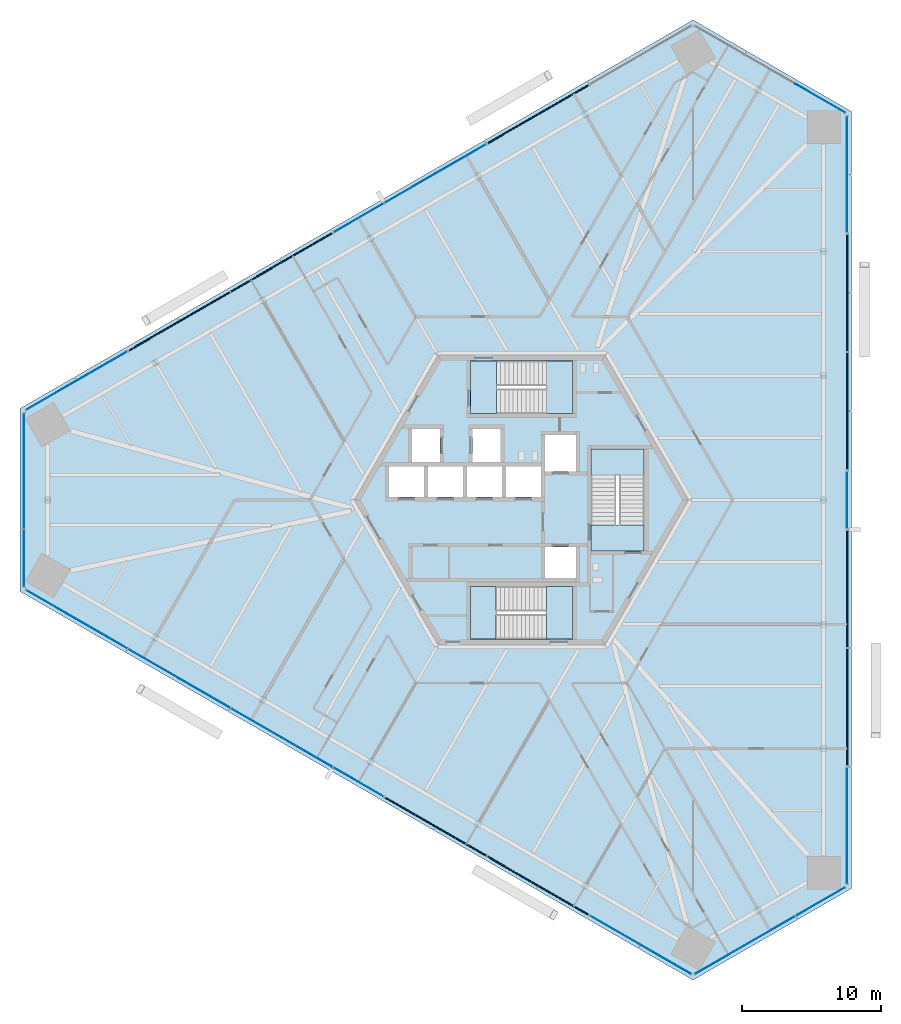
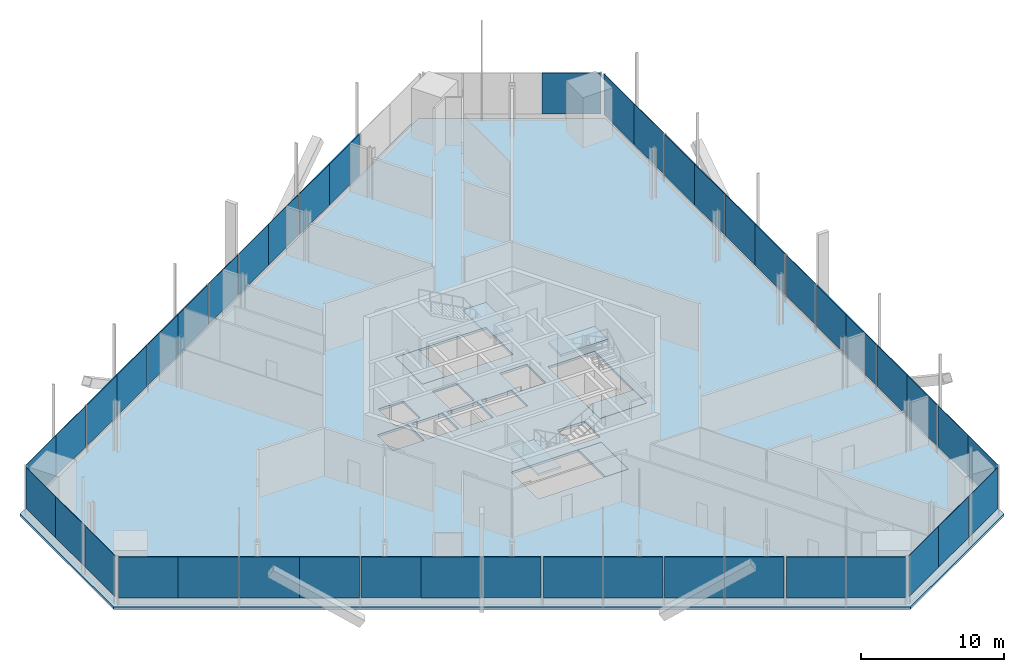
# One storey, part 9 of 19: 44 plates, 7 slabs, 18 elements without a shape of their own.
"""IFC4 building model written with IfcOpenShell, lengths in metres."""

from ifc_helpers import new_model, si_unit, direction, frame, origin, origin_2d, place, context, subcontext, project, spatial, polyline, rectangle, outline, extrude, source, transform, mapped, material, layer, layer_set, type_object, element, aggregate, save


model = new_model("IFC4")

# Units and contexts
model_context = context("Model", 3, precision=1e-05, world=origin(), true_north=direction((0.0, 1.0)))
body_context = subcontext(model_context, "Body", "Model", "MODEL_VIEW")
ifc_project = project(units=[si_unit("LENGTHUNIT", "METRE"), si_unit("AREAUNIT", "SQUARE_METRE"), si_unit("VOLUMEUNIT", "CUBIC_METRE"), si_unit("PLANEANGLEUNIT", "RADIAN"), si_unit("MASSUNIT", "GRAM", prefix="KILO")], contexts=[model_context])

# Site, building, storey
site_placement = place(None, origin())
site = spatial("IfcSite", under=ifc_project, at=site_placement, CompositionType="ELEMENT")
building_placement = place(site_placement, origin())
building = spatial("IfcBuilding", under=site, at=building_placement, Name="Triune Harvest Tower", CompositionType="ELEMENT")
storey_placement = place(building_placement, frame((0.0, 0.0, 41.800048828125)))
storey = spatial("IfcBuildingStorey", under=building, at=storey_placement, Name="L09", CompositionType="ELEMENT", Elevation=41.800048828125)

# Slab
ifc_material_1 = material(Name="Concrete 40 MPa", Category="concrete")
ifc_layer_1 = layer(ifc_material_1, 0.199951171875)
ifc_layer_set_1 = layer_set([ifc_layer_1], Name="Concrete 40 MPa")
slab_type_1 = type_object("IfcSlabType", Name="SL-3 Composite floor slab 200", PredefinedType="FLOOR", material=ifc_layer_set_1)
shared_shape_1 = source(origin(), body_context, "Body", "SweptSolid", [
    extrude(outline(polyline([(23.67138671875, -27.8798828125), (23.67138671875, 27.8798828125), (12.30908203125, 34.43994140625), (-35.98046875, 6.56005859375), (-35.98046875, -6.56005859375), (12.30908203125, -34.43994140625), (23.67138671875, -27.8798828125)]), holes=[polyline([(-7.0, 0.2099609375), (-7.0, 2.409912109375), (-9.5, 2.409912109375), (-9.5, 0.2099609375), (-7.0, 0.2099609375)]), polyline([(-4.199951171875, 0.2099609375), (-4.199951171875, 2.409912109375), (-6.699951171875, 2.409912109375), (-6.699951171875, 0.2099609375), (-4.199951171875, 0.2099609375)]), polyline([(-1.39990234375, 0.2099609375), (-1.39990234375, 2.409912109375), (-3.89990234375, 2.409912109375), (-3.89990234375, 0.2099609375), (-1.39990234375, 0.2099609375)]), polyline([(1.39990234375, 0.2099609375), (1.39990234375, 2.409912109375), (-1.10009765625, 2.409912109375), (-1.10009765625, 0.2099609375), (1.39990234375, 0.2099609375)]), polyline([(3.89990234375, 2.06005859375), (3.89990234375, 4.659912109375), (1.699951171875, 4.659912109375), (1.699951171875, 2.06005859375), (3.89990234375, 2.06005859375)]), polyline([(3.89990234375, -5.590087890625), (3.89990234375, -3.389892578125), (1.699951171875, -3.389892578125), (1.699951171875, -5.590087890625), (3.89990234375, -5.590087890625)]), polyline([(-5.85009765625, 2.7099609375), (-5.85009765625, 5.110107421875), (-7.85009765625, 5.110107421875), (-7.85009765625, 2.7099609375), (-5.85009765625, 2.7099609375)]), polyline([(-1.5, 2.7099609375), (-1.5, 5.110107421875), (-3.5, 5.110107421875), (-3.5, 2.7099609375), (-1.5, 2.7099609375)]), polyline([(3.64990234375, 6.18994140625), (3.64990234375, 9.989990234375), (-3.64990234375, 9.989990234375), (-3.64990234375, 6.18994140625), (3.64990234375, 6.18994140625)]), polyline([(3.64990234375, -9.989990234375), (3.64990234375, -6.18994140625), (-3.64990234375, -6.18994140625), (-3.64990234375, -9.989990234375), (3.64990234375, -9.989990234375)]), polyline([(8.800048828125, -3.64990234375), (8.800048828125, 3.64990234375), (5.0, 3.64990234375), (5.0, -3.64990234375), (8.800048828125, -3.64990234375)])]), origin(), (0.0, 0.0, 1.0), 0.199951171875),
])
slab_1_placement = place(storey_placement, frame((0.0, 0.0, -0.199951171875)))
element("IfcSlab", 1, at=slab_1_placement, inside=storey, type_object=slab_type_1, Name="slab/L09/1", PredefinedType="FLOOR", context=body_context, shape_type="MappedRepresentation", body=[
    mapped(shared_shape_1, transform((0.0, 0.0, 0.0), scale=1.0)),
])

# Stair, slabs
ifc_material_2 = material(Name="Concrete 40 MPa", Category="concrete")
stair_type = type_object("IfcStairType", Name="Exit stair 1800 half turn", PredefinedType="HALF_TURN_STAIR", material=ifc_material_2)
stair_1_placement = place(storey_placement, origin())
stair_1 = element("IfcStair", 2, at=stair_1_placement, inside=storey, type_object=stair_type, Name="Exit stair north", PredefinedType="HALF_TURN_STAIR")
ifc_material_3 = material(Name="Concrete 40 MPa", Category="concrete")
ifc_layer_2 = layer(ifc_material_3, 0.199951171875)
ifc_layer_set_2 = layer_set([ifc_layer_2], Name="Concrete 40 MPa")
slab_type_2 = type_object("IfcSlabType", Name="Stair landing 200", PredefinedType="LANDING", material=ifc_layer_set_2)
shared_shape_2 = source(origin(), body_context, "Body", "SweptSolid", [
    extrude(outline(polyline([(-3.64990234375, 6.18994140625), (-1.780029296875, 6.18994140625), (-1.780029296875, 9.989990234375), (-3.64990234375, 9.989990234375), (-3.64990234375, 6.18994140625)])), origin(), (0.0, 0.0, 1.0), 0.199951171875),
])
slab_2_placement = place(storey_placement, frame((0.0, 0.0, -0.199951171875)))
slab_2 = element("IfcSlab", 3, at=slab_2_placement, type_object=slab_type_2, Name="ST-1 landing 1", PredefinedType="LANDING", context=body_context, shape_type="MappedRepresentation", body=[
    mapped(shared_shape_2, transform((0.0, 0.0, 0.0), scale=1.0)),
])
shared_shape_3 = source(origin(), body_context, "Body", "SweptSolid", [
    extrude(outline(polyline([(1.81005859375, 6.18994140625), (3.64990234375, 6.18994140625), (3.64990234375, 9.989990234375), (1.81005859375, 9.989990234375), (1.81005859375, 6.18994140625)])), origin(), (0.0, 0.0, 1.0), 0.199951171875),
])
slab_3_placement = place(storey_placement, frame((0.0, 0.0, 1.949951171875)))
slab_3 = element("IfcSlab", 4, at=slab_3_placement, type_object=slab_type_2, Name="ST-1 landing 2", PredefinedType="LANDING", context=body_context, shape_type="MappedRepresentation", body=[
    mapped(shared_shape_3, transform((0.0, 0.0, 0.0), scale=1.0)),
])
aggregate(stair_1, [slab_2, slab_3])

stair_2_placement = place(storey_placement, origin())
stair_2 = element("IfcStair", 5, at=stair_2_placement, inside=storey, type_object=stair_type, Name="Exit stair south", PredefinedType="HALF_TURN_STAIR")
shared_shape_4 = source(origin(), body_context, "Body", "SweptSolid", [
    extrude(outline(polyline([(3.64990234375, -6.18994140625), (1.780029296875, -6.18994140625), (1.780029296875, -9.989990234375), (3.64990234375, -9.989990234375), (3.64990234375, -6.18994140625)])), origin(), (0.0, 0.0, 1.0), 0.199951171875),
])
slab_4_placement = place(storey_placement, frame((0.0, 0.0, -0.199951171875)))
slab_4 = element("IfcSlab", 6, at=slab_4_placement, type_object=slab_type_2, Name="ST-2 landing 1", PredefinedType="LANDING", context=body_context, shape_type="MappedRepresentation", body=[
    mapped(shared_shape_4, transform((0.0, 0.0, 0.0), scale=1.0)),
])
shared_shape_5 = source(origin(), body_context, "Body", "SweptSolid", [
    extrude(outline(polyline([(-1.81005859375, -6.18994140625), (-3.64990234375, -6.18994140625), (-3.64990234375, -9.989990234375), (-1.81005859375, -9.989990234375), (-1.81005859375, -6.18994140625)])), origin(), (0.0, 0.0, 1.0), 0.199951171875),
])
slab_5_placement = place(storey_placement, frame((0.0, 0.0, 1.949951171875)))
slab_5 = element("IfcSlab", 7, at=slab_5_placement, type_object=slab_type_2, Name="ST-2 landing 2", PredefinedType="LANDING", context=body_context, shape_type="MappedRepresentation", body=[
    mapped(shared_shape_5, transform((0.0, 0.0, 0.0), scale=1.0)),
])
aggregate(stair_2, [slab_4, slab_5])

stair_3_placement = place(storey_placement, origin())
stair_3 = element("IfcStair", 8, at=stair_3_placement, inside=storey, type_object=stair_type, Name="Exit stair east", PredefinedType="HALF_TURN_STAIR")
shared_shape_6 = source(origin(), body_context, "Body", "SweptSolid", [
    extrude(outline(polyline([(8.800048828125, -3.64990234375), (8.800048828125, -1.780029296875), (5.0, -1.780029296875), (5.0, -3.64990234375), (8.800048828125, -3.64990234375)])), origin(), (0.0, 0.0, 1.0), 0.199951171875),
])
slab_6_placement = place(storey_placement, frame((0.0, 0.0, -0.199951171875)))
slab_6 = element("IfcSlab", 9, at=slab_6_placement, type_object=slab_type_2, Name="ST-3 landing 1", PredefinedType="LANDING", context=body_context, shape_type="MappedRepresentation", body=[
    mapped(shared_shape_6, transform((0.0, 0.0, 0.0), scale=1.0)),
])
shared_shape_7 = source(origin(), body_context, "Body", "SweptSolid", [
    extrude(outline(polyline([(8.800048828125, 1.81005859375), (8.800048828125, 3.64990234375), (5.0, 3.64990234375), (5.0, 1.81005859375), (8.800048828125, 1.81005859375)])), origin(), (0.0, 0.0, 1.0), 0.199951171875),
])
slab_7_placement = place(storey_placement, frame((0.0, 0.0, 1.949951171875)))
slab_7 = element("IfcSlab", 10, at=slab_7_placement, type_object=slab_type_2, Name="ST-3 landing 2", PredefinedType="LANDING", context=body_context, shape_type="MappedRepresentation", body=[
    mapped(shared_shape_7, transform((0.0, 0.0, 0.0), scale=1.0)),
])
aggregate(stair_3, [slab_6, slab_7])

# Curtain wall, plate
ifc_material_4 = material(Name="Aluminium bronze anodised", Category="aluminium")
curtain_wall_type_1 = type_object("IfcCurtainWallType", Name="CW-3 Farm floor curtain wall", PredefinedType="NOTDEFINED", material=ifc_material_4)
curtain_wall_1_placement = place(storey_placement, origin())
curtain_wall_1 = element("IfcCurtainWall", 11, at=curtain_wall_1_placement, inside=storey, type_object=curtain_wall_type_1, Name="CW-3 B1-F2 L09 run 1")
ifc_material_5 = material(Name="Glass", Category="glass")
ifc_layer_3 = layer(ifc_material_5, 0.035888671875)
ifc_layer_set_3 = layer_set([ifc_layer_3], Name="Glass")
plate_type_1 = type_object("IfcPlateType", Name="GL-3 panel 36", PredefinedType="CURTAIN_PANEL", material=ifc_layer_set_3)
shared_shape_8 = source(origin(), body_context, "Body", "SweptSolid", [
    extrude(rectangle(XDim=4.117919921875, YDim=0.035888671875, at=origin_2d()), origin(), (0.0, 0.0, 1.0), 3.5),
])
plate_1_placement = place(storey_placement, frame((21.441162109375, 28.8212890625, 0.599853515625), z_axis=(0.0, 0.0, 1.0), x_axis=(-0.866026145592, 0.499998715149, 0.0)))
plate_1 = element("IfcPlate", 12, at=plate_1_placement, type_object=plate_type_1, Name="CW-3 panel B1-F2 1.1", PredefinedType="CURTAIN_PANEL", context=body_context, shape_type="MappedRepresentation", body=[
    mapped(shared_shape_8, transform((0.0, 0.0, 0.0), scale=1.0)),
])
aggregate(curtain_wall_1, [plate_1])

curtain_wall_2_placement = place(storey_placement, origin())
curtain_wall_2 = element("IfcCurtainWall", 13, at=curtain_wall_2_placement, inside=storey, type_object=curtain_wall_type_1, Name="CW-3 B1-F4 L09 run 1")
plate_2_placement = place(storey_placement, frame((-35.680419921875, 4.157958984375, 0.599853515625), z_axis=(0.0, 0.0, 1.0), x_axis=(0.0, -1.0, 0.0)))
plate_2 = element("IfcPlate", 14, at=plate_2_placement, type_object=plate_type_1, Name="CW-3 panel B1-F4 1.1", PredefinedType="CURTAIN_PANEL", context=body_context, shape_type="MappedRepresentation", body=[
    mapped(shared_shape_8, transform((0.0, 0.0, 0.0), scale=1.0)),
])

curtain_wall_3_placement = place(storey_placement, origin())
curtain_wall_3 = element("IfcCurtainWall", 15, at=curtain_wall_3_placement, inside=storey, type_object=curtain_wall_type_1, Name="CW-3 B1-F6 L09 run 1")
plate_3_placement = place(storey_placement, frame((14.239501953125, -32.979248046875, 0.599853515625), z_axis=(0.0, 0.0, 1.0), x_axis=(0.866026145592, 0.499998715149, 0.0)))
plate_3 = element("IfcPlate", 16, at=plate_3_placement, type_object=plate_type_1, Name="CW-3 panel B1-F6 1.1", PredefinedType="CURTAIN_PANEL", context=body_context, shape_type="MappedRepresentation", body=[
    mapped(shared_shape_8, transform((0.0, 0.0, 0.0), scale=1.0)),
])

# Plate
shared_shape_9 = source(origin(), body_context, "Body", "SweptSolid", [
    extrude(rectangle(XDim=4.157958984375, YDim=0.035888671875, at=origin_2d()), origin(), (0.0, 0.0, 1.0), 3.5),
])
plate_4_placement = place(storey_placement, frame((-35.680419921875, 0.02001953125, 0.599853515625), z_axis=(0.0, 0.0, 1.0), x_axis=(0.0, -1.0, 0.0)))
plate_4 = element("IfcPlate", 17, at=plate_4_placement, type_object=plate_type_1, Name="CW-3 panel B1-F4 1.2", PredefinedType="CURTAIN_PANEL", context=body_context, shape_type="MappedRepresentation", body=[
    mapped(shared_shape_9, transform((0.0, 0.0, 0.0), scale=1.0)),
])

plate_5_placement = place(storey_placement, frame((17.822998046875, -30.91015625, 0.599853515625), z_axis=(0.0, 0.0, 1.0), x_axis=(0.866026145592, 0.499998715149, 0.0)))
plate_5 = element("IfcPlate", 18, at=plate_5_placement, type_object=plate_type_1, Name="CW-3 panel B1-F6 1.2", PredefinedType="CURTAIN_PANEL", context=body_context, shape_type="MappedRepresentation", body=[
    mapped(shared_shape_9, transform((0.0, 0.0, 0.0), scale=1.0)),
])

shared_shape_10 = source(origin(), body_context, "Body", "SweptSolid", [
    extrude(rectangle(XDim=4.077880859375, YDim=0.035888671875, at=origin_2d()), origin(), (0.0, 0.0, 1.0), 3.5),
])
plate_6_placement = place(storey_placement, frame((-35.680419921875, -4.177978515625, 0.599853515625), z_axis=(0.0, 0.0, 1.0), x_axis=(0.0, -1.0, 0.0)))
plate_6 = element("IfcPlate", 19, at=plate_6_placement, type_object=plate_type_1, Name="CW-3 panel B1-F4 1.3", PredefinedType="CURTAIN_PANEL", context=body_context, shape_type="MappedRepresentation", body=[
    mapped(shared_shape_10, transform((0.0, 0.0, 0.0), scale=1.0)),
])

aggregate(curtain_wall_2, [plate_2, plate_4, plate_6])

plate_7_placement = place(storey_placement, frame((21.45849609375, -28.811279296875, 0.599853515625), z_axis=(0.0, 0.0, 1.0), x_axis=(0.866026145592, 0.499998715149, 0.0)))
plate_7 = element("IfcPlate", 20, at=plate_7_placement, type_object=plate_type_1, Name="CW-3 panel B1-F6 1.3", PredefinedType="CURTAIN_PANEL", context=body_context, shape_type="MappedRepresentation", body=[
    mapped(shared_shape_10, transform((0.0, 0.0, 0.0), scale=1.0)),
])

aggregate(curtain_wall_3, [plate_3, plate_5, plate_7])

# Curtain wall, plates
ifc_material_6 = material(Name="Aluminium bronze anodised", Category="aluminium")
curtain_wall_type_2 = type_object("IfcCurtainWallType", Name="CW-8 Farm floor curtain wall with insulated spandrel infill", PredefinedType="NOTDEFINED", material=ifc_material_6)
curtain_wall_4_placement = place(storey_placement, origin())
curtain_wall_4 = element("IfcCurtainWall", 21, at=curtain_wall_4_placement, inside=storey, type_object=curtain_wall_type_2, Name="CW-8 B1-F1 L09 run 1001")
ifc_material_7 = material(Name="Insulated spandrel panel, bronze aluminium pan", Category="aluminium")
ifc_layer_4 = layer(ifc_material_7, 0.080078125)
ifc_layer_set_4 = layer_set([ifc_layer_4], Name="Insulated spandrel panel, bronze aluminium pan")
plate_type_2 = type_object("IfcPlateType", Name="SP-1 insulated spandrel panel 80", PredefinedType="CURTAIN_PANEL", material=ifc_layer_set_4)
shared_shape_11 = source(origin(), body_context, "Body", "SweptSolid", [
    extrude(rectangle(XDim=4.168701171875, YDim=0.080078125, at=origin_2d()), origin(), (0.0, 0.0, 1.0), 3.5),
])
plate_8_placement = place(storey_placement, frame((23.371337890625, -16.954833984375, 0.599853515625), z_axis=(0.0, 0.0, 1.0), x_axis=(0.0, 1.0, 0.0)))
plate_8 = element("IfcPlate", 22, at=plate_8_placement, type_object=plate_type_2, Name="CW-8 panel B1-F1 1001.1", PredefinedType="CURTAIN_PANEL", context=body_context, shape_type="MappedRepresentation", body=[
    mapped(shared_shape_11, transform((0.0, 0.0, 0.0), scale=1.0)),
])
plate_9_placement = place(storey_placement, frame((23.371337890625, -4.288818359375, 0.599853515625), z_axis=(0.0, 0.0, 1.0), x_axis=(0.0, 1.0, 0.0)))
plate_9 = element("IfcPlate", 23, at=plate_9_placement, type_object=plate_type_2, Name="CW-8 panel B1-F1 1001.4", PredefinedType="CURTAIN_PANEL", context=body_context, shape_type="MappedRepresentation", body=[
    mapped(shared_shape_11, transform((0.0, 0.0, 0.0), scale=1.0)),
])

curtain_wall_5_placement = place(storey_placement, origin())
curtain_wall_5 = element("IfcCurtainWall", 24, at=curtain_wall_5_placement, inside=storey, type_object=curtain_wall_type_2, Name="CW-8 B1-F1 L09 run 3001")
plate_10_placement = place(storey_placement, frame((23.371337890625, 4.288818359375, 0.599853515625), z_axis=(0.0, 0.0, 1.0), x_axis=(0.0, 1.0, 0.0)))
plate_10 = element("IfcPlate", 25, at=plate_10_placement, type_object=plate_type_2, Name="CW-8 panel B1-F1 3001.1", PredefinedType="CURTAIN_PANEL", context=body_context, shape_type="MappedRepresentation", body=[
    mapped(shared_shape_11, transform((0.0, 0.0, 0.0), scale=1.0)),
])
plate_11_placement = place(storey_placement, frame((23.371337890625, 16.954833984375, 0.599853515625), z_axis=(0.0, 0.0, 1.0), x_axis=(0.0, 1.0, 0.0)))
plate_11 = element("IfcPlate", 26, at=plate_11_placement, type_object=plate_type_2, Name="CW-8 panel B1-F1 3001.4", PredefinedType="CURTAIN_PANEL", context=body_context, shape_type="MappedRepresentation", body=[
    mapped(shared_shape_11, transform((0.0, 0.0, 0.0), scale=1.0)),
])

curtain_wall_6_placement = place(storey_placement, origin())
curtain_wall_6 = element("IfcCurtainWall", 27, at=curtain_wall_6_placement, inside=storey, type_object=curtain_wall_type_2, Name="CW-8 B1-F3 L09 run 1001")
plate_12_placement = place(storey_placement, frame((2.997802734375, 28.7177734375, 0.599853515625), z_axis=(0.0, 0.0, 1.0), x_axis=(-0.866021359287, -0.500007005209, 0.0)))
plate_12 = element("IfcPlate", 28, at=plate_12_placement, type_object=plate_type_2, Name="CW-8 panel B1-F3 1001.1", PredefinedType="CURTAIN_PANEL", context=body_context, shape_type="MappedRepresentation", body=[
    mapped(shared_shape_11, transform((0.0, 0.0, 0.0), scale=1.0)),
])
plate_13_placement = place(storey_placement, frame((-0.612548828125, 26.63330078125, 0.599853515625), z_axis=(0.0, 0.0, 1.0), x_axis=(-0.866021359287, -0.500007005209, 0.0)))
plate_13 = element("IfcPlate", 29, at=plate_13_placement, type_object=plate_type_2, Name="CW-8 panel B1-F3 1001.2", PredefinedType="CURTAIN_PANEL", context=body_context, shape_type="MappedRepresentation", body=[
    mapped(shared_shape_11, transform((0.0, 0.0, 0.0), scale=1.0)),
])
aggregate(curtain_wall_6, [plate_12, plate_13])

curtain_wall_7_placement = place(storey_placement, origin())
curtain_wall_7 = element("IfcCurtainWall", 30, at=curtain_wall_7_placement, inside=storey, type_object=curtain_wall_type_2, Name="CW-8 B1-F3 L09 run 3001")
plate_14_placement = place(storey_placement, frame((-15.39990234375, 18.095703125, 0.599853515625), z_axis=(0.0, 0.0, 1.0), x_axis=(-0.866023907196, -0.500002592159, 0.0)))
plate_14 = element("IfcPlate", 31, at=plate_14_placement, type_object=plate_type_2, Name="CW-8 panel B1-F3 3001.1", PredefinedType="CURTAIN_PANEL", context=body_context, shape_type="MappedRepresentation", body=[
    mapped(shared_shape_11, transform((0.0, 0.0, 0.0), scale=1.0)),
])
plate_15_placement = place(storey_placement, frame((-26.369140625, 11.7626953125, 0.599853515625), z_axis=(0.0, 0.0, 1.0), x_axis=(-0.866023907196, -0.500002592159, 0.0)))
plate_15 = element("IfcPlate", 32, at=plate_15_placement, type_object=plate_type_2, Name="CW-8 panel B1-F3 3001.4", PredefinedType="CURTAIN_PANEL", context=body_context, shape_type="MappedRepresentation", body=[
    mapped(shared_shape_11, transform((0.0, 0.0, 0.0), scale=1.0)),
])

curtain_wall_8_placement = place(storey_placement, origin())
curtain_wall_8 = element("IfcCurtainWall", 33, at=curtain_wall_8_placement, inside=storey, type_object=curtain_wall_type_2, Name="CW-8 B1-F5 L09 run 1001")
plate_16_placement = place(storey_placement, frame((-7.971435546875, -22.384521484375, 0.599853515625), z_axis=(0.0, 0.0, 1.0), x_axis=(0.866023907196, -0.500002592159, 0.0)))
plate_16 = element("IfcPlate", 34, at=plate_16_placement, type_object=plate_type_2, Name="CW-8 panel B1-F5 1001.1", PredefinedType="CURTAIN_PANEL", context=body_context, shape_type="MappedRepresentation", body=[
    mapped(shared_shape_11, transform((0.0, 0.0, 0.0), scale=1.0)),
])
plate_17_placement = place(storey_placement, frame((2.997802734375, -28.7177734375, 0.599853515625), z_axis=(0.0, 0.0, 1.0), x_axis=(0.866023907196, -0.500002592159, 0.0)))
plate_17 = element("IfcPlate", 35, at=plate_17_placement, type_object=plate_type_2, Name="CW-8 panel B1-F5 1001.4", PredefinedType="CURTAIN_PANEL", context=body_context, shape_type="MappedRepresentation", body=[
    mapped(shared_shape_11, transform((0.0, 0.0, 0.0), scale=1.0)),
])

# Plate
shared_shape_12 = source(origin(), body_context, "Body", "SweptSolid", [
    extrude(rectangle(XDim=4.208740234375, YDim=0.080078125, at=origin_2d()), origin(), (0.0, 0.0, 1.0), 3.5),
])
plate_18_placement = place(storey_placement, frame((23.371337890625, -12.76611328125, 0.599853515625), z_axis=(0.0, 0.0, 1.0), x_axis=(0.0, 1.0, 0.0)))
plate_18 = element("IfcPlate", 36, at=plate_18_placement, type_object=plate_type_2, Name="CW-8 panel B1-F1 1001.2", PredefinedType="CURTAIN_PANEL", context=body_context, shape_type="MappedRepresentation", body=[
    mapped(shared_shape_12, transform((0.0, 0.0, 0.0), scale=1.0)),
])

plate_19_placement = place(storey_placement, frame((23.371337890625, -8.4775390625, 0.599853515625), z_axis=(0.0, 0.0, 1.0), x_axis=(0.0, 1.0, 0.0)))
plate_19 = element("IfcPlate", 37, at=plate_19_placement, type_object=plate_type_2, Name="CW-8 panel B1-F1 1001.3", PredefinedType="CURTAIN_PANEL", context=body_context, shape_type="MappedRepresentation", body=[
    mapped(shared_shape_12, transform((0.0, 0.0, 0.0), scale=1.0)),
])

aggregate(curtain_wall_4, [plate_8, plate_18, plate_19, plate_9])

plate_20_placement = place(storey_placement, frame((23.371337890625, 8.4775390625, 0.599853515625), z_axis=(0.0, 0.0, 1.0), x_axis=(0.0, 1.0, 0.0)))
plate_20 = element("IfcPlate", 38, at=plate_20_placement, type_object=plate_type_2, Name="CW-8 panel B1-F1 3001.2", PredefinedType="CURTAIN_PANEL", context=body_context, shape_type="MappedRepresentation", body=[
    mapped(shared_shape_12, transform((0.0, 0.0, 0.0), scale=1.0)),
])

plate_21_placement = place(storey_placement, frame((23.371337890625, 12.76611328125, 0.599853515625), z_axis=(0.0, 0.0, 1.0), x_axis=(0.0, 1.0, 0.0)))
plate_21 = element("IfcPlate", 39, at=plate_21_placement, type_object=plate_type_2, Name="CW-8 panel B1-F1 3001.3", PredefinedType="CURTAIN_PANEL", context=body_context, shape_type="MappedRepresentation", body=[
    mapped(shared_shape_12, transform((0.0, 0.0, 0.0), scale=1.0)),
])

aggregate(curtain_wall_5, [plate_10, plate_20, plate_21, plate_11])

plate_22_placement = place(storey_placement, frame((-19.02734375, 16.00146484375, 0.599853515625), z_axis=(0.0, 0.0, 1.0), x_axis=(-0.866023907196, -0.500002592159, 0.0)))
plate_22 = element("IfcPlate", 40, at=plate_22_placement, type_object=plate_type_2, Name="CW-8 panel B1-F3 3001.2", PredefinedType="CURTAIN_PANEL", context=body_context, shape_type="MappedRepresentation", body=[
    mapped(shared_shape_12, transform((0.0, 0.0, 0.0), scale=1.0)),
])

plate_23_placement = place(storey_placement, frame((-22.741455078125, 13.857177734375, 0.599853515625), z_axis=(0.0, 0.0, 1.0), x_axis=(-0.866023907196, -0.500002592159, 0.0)))
plate_23 = element("IfcPlate", 41, at=plate_23_placement, type_object=plate_type_2, Name="CW-8 panel B1-F3 3001.3", PredefinedType="CURTAIN_PANEL", context=body_context, shape_type="MappedRepresentation", body=[
    mapped(shared_shape_12, transform((0.0, 0.0, 0.0), scale=1.0)),
])

aggregate(curtain_wall_7, [plate_14, plate_22, plate_23, plate_15])

plate_24_placement = place(storey_placement, frame((-4.343994140625, -24.47900390625, 0.599853515625), z_axis=(0.0, 0.0, 1.0), x_axis=(0.866023907196, -0.500002592159, 0.0)))
plate_24 = element("IfcPlate", 42, at=plate_24_placement, type_object=plate_type_2, Name="CW-8 panel B1-F5 1001.2", PredefinedType="CURTAIN_PANEL", context=body_context, shape_type="MappedRepresentation", body=[
    mapped(shared_shape_12, transform((0.0, 0.0, 0.0), scale=1.0)),
])

plate_25_placement = place(storey_placement, frame((-0.6298828125, -26.623291015625, 0.599853515625), z_axis=(0.0, 0.0, 1.0), x_axis=(0.866023907196, -0.500002592159, 0.0)))
plate_25 = element("IfcPlate", 43, at=plate_25_placement, type_object=plate_type_2, Name="CW-8 panel B1-F5 1001.3", PredefinedType="CURTAIN_PANEL", context=body_context, shape_type="MappedRepresentation", body=[
    mapped(shared_shape_12, transform((0.0, 0.0, 0.0), scale=1.0)),
])

aggregate(curtain_wall_8, [plate_16, plate_24, plate_25, plate_17])

# Curtain wall, plates
curtain_wall_9_placement = place(storey_placement, origin())
curtain_wall_9 = element("IfcCurtainWall", 44, at=curtain_wall_9_placement, inside=storey, type_object=curtain_wall_type_1, Name="CW-3 B1-F1 L09 run 1")
shared_shape_13 = source(origin(), body_context, "Body", "SweptSolid", [
    extrude(rectangle(XDim=4.168701171875, YDim=0.035888671875, at=origin_2d()), origin(), (0.0, 0.0, 1.0), 3.5),
])
plate_26_placement = place(storey_placement, frame((23.371337890625, -25.452392578125, 0.599853515625), z_axis=(0.0, 0.0, 1.0), x_axis=(0.0, 1.0, 0.0)))
plate_26 = element("IfcPlate", 45, at=plate_26_placement, type_object=plate_type_1, Name="CW-3 panel B1-F1 1.1", PredefinedType="CURTAIN_PANEL", context=body_context, shape_type="MappedRepresentation", body=[
    mapped(shared_shape_13, transform((0.0, 0.0, 0.0), scale=1.0)),
])
plate_27_placement = place(storey_placement, frame((23.371337890625, -21.28369140625, 0.599853515625), z_axis=(0.0, 0.0, 1.0), x_axis=(0.0, 1.0, 0.0)))
plate_27 = element("IfcPlate", 46, at=plate_27_placement, type_object=plate_type_1, Name="CW-3 panel B1-F1 1.2", PredefinedType="CURTAIN_PANEL", context=body_context, shape_type="MappedRepresentation", body=[
    mapped(shared_shape_13, transform((0.0, 0.0, 0.0), scale=1.0)),
])
aggregate(curtain_wall_9, [plate_26, plate_27])

curtain_wall_10_placement = place(storey_placement, origin())
curtain_wall_10 = element("IfcCurtainWall", 47, at=curtain_wall_10_placement, inside=storey, type_object=curtain_wall_type_1, Name="CW-3 B1-F1 L09 run 4001")
plate_28_placement = place(storey_placement, frame((23.371337890625, 21.28369140625, 0.599853515625), z_axis=(0.0, 0.0, 1.0), x_axis=(0.0, 1.0, 0.0)))
plate_28 = element("IfcPlate", 48, at=plate_28_placement, type_object=plate_type_1, Name="CW-3 panel B1-F1 4001.1", PredefinedType="CURTAIN_PANEL", context=body_context, shape_type="MappedRepresentation", body=[
    mapped(shared_shape_13, transform((0.0, 0.0, 0.0), scale=1.0)),
])
plate_29_placement = place(storey_placement, frame((23.371337890625, 25.452392578125, 0.599853515625), z_axis=(0.0, 0.0, 1.0), x_axis=(0.0, 1.0, 0.0)))
plate_29 = element("IfcPlate", 49, at=plate_29_placement, type_object=plate_type_1, Name="CW-3 panel B1-F1 4001.2", PredefinedType="CURTAIN_PANEL", context=body_context, shape_type="MappedRepresentation", body=[
    mapped(shared_shape_13, transform((0.0, 0.0, 0.0), scale=1.0)),
])
aggregate(curtain_wall_10, [plate_28, plate_29])

# Curtain wall, plate
curtain_wall_11_placement = place(storey_placement, origin())
curtain_wall_11 = element("IfcCurtainWall", 50, at=curtain_wall_11_placement, inside=storey, type_object=curtain_wall_type_1, Name="CW-3 B1-F3 L09 run 2001")
plate_30_placement = place(storey_placement, frame((-4.361328125, 24.468994140625, 0.599853515625), z_axis=(0.0, 0.0, 1.0), x_axis=(-0.866026717857, -0.499997723952, 0.0)))
plate_30 = element("IfcPlate", 51, at=plate_30_placement, type_object=plate_type_1, Name="CW-3 panel B1-F3 2001.1", PredefinedType="CURTAIN_PANEL", context=body_context, shape_type="MappedRepresentation", body=[
    mapped(shared_shape_13, transform((0.0, 0.0, 0.0), scale=1.0)),
])

# Curtain wall, plates
curtain_wall_12_placement = place(storey_placement, origin())
curtain_wall_12 = element("IfcCurtainWall", 52, at=curtain_wall_12_placement, inside=storey, type_object=curtain_wall_type_1, Name="CW-3 B1-F3 L09 run 4001")
plate_31_placement = place(storey_placement, frame((-30.117919921875, 9.598388671875, 0.599853515625), z_axis=(0.0, 0.0, 1.0), x_axis=(-0.866028152342, -0.499995239328, 0.0)))
plate_31 = element("IfcPlate", 53, at=plate_31_placement, type_object=plate_type_1, Name="CW-3 panel B1-F3 4001.1", PredefinedType="CURTAIN_PANEL", context=body_context, shape_type="MappedRepresentation", body=[
    mapped(shared_shape_13, transform((0.0, 0.0, 0.0), scale=1.0)),
])
plate_32_placement = place(storey_placement, frame((-33.728271484375, 7.513916015625, 0.599853515625), z_axis=(0.0, 0.0, 1.0), x_axis=(-0.866028152342, -0.499995239328, 0.0)))
plate_32 = element("IfcPlate", 54, at=plate_32_placement, type_object=plate_type_1, Name="CW-3 panel B1-F3 4001.2", PredefinedType="CURTAIN_PANEL", context=body_context, shape_type="MappedRepresentation", body=[
    mapped(shared_shape_13, transform((0.0, 0.0, 0.0), scale=1.0)),
])
aggregate(curtain_wall_12, [plate_31, plate_32])

# Curtain wall, plate
curtain_wall_13_placement = place(storey_placement, origin())
curtain_wall_13 = element("IfcCurtainWall", 55, at=curtain_wall_13_placement, inside=storey, type_object=curtain_wall_type_1, Name="CW-3 B1-F5 L09 run 1")
plate_33_placement = place(storey_placement, frame((-33.728271484375, -7.513916015625, 0.599853515625), z_axis=(0.0, 0.0, 1.0), x_axis=(0.866025596704, -0.499999665853, 0.0)))
plate_33 = element("IfcPlate", 56, at=plate_33_placement, type_object=plate_type_1, Name="CW-3 panel B1-F5 1.1", PredefinedType="CURTAIN_PANEL", context=body_context, shape_type="MappedRepresentation", body=[
    mapped(shared_shape_13, transform((0.0, 0.0, 0.0), scale=1.0)),
])

# Curtain wall, plates
curtain_wall_14_placement = place(storey_placement, origin())
curtain_wall_14 = element("IfcCurtainWall", 57, at=curtain_wall_14_placement, inside=storey, type_object=curtain_wall_type_1, Name="CW-3 B1-F5 L09 run 2001")
plate_34_placement = place(storey_placement, frame((6.74658203125, -30.882080078125, 0.599853515625), z_axis=(0.0, 0.0, 1.0), x_axis=(0.866028152342, -0.499995239328, 0.0)))
plate_34 = element("IfcPlate", 58, at=plate_34_placement, type_object=plate_type_1, Name="CW-3 panel B1-F5 2001.1", PredefinedType="CURTAIN_PANEL", context=body_context, shape_type="MappedRepresentation", body=[
    mapped(shared_shape_13, transform((0.0, 0.0, 0.0), scale=1.0)),
])
plate_35_placement = place(storey_placement, frame((10.356689453125, -32.96630859375, 0.599853515625), z_axis=(0.0, 0.0, 1.0), x_axis=(0.866028152342, -0.499995239328, 0.0)))
plate_35 = element("IfcPlate", 59, at=plate_35_placement, type_object=plate_type_1, Name="CW-3 panel B1-F5 2001.2", PredefinedType="CURTAIN_PANEL", context=body_context, shape_type="MappedRepresentation", body=[
    mapped(shared_shape_13, transform((0.0, 0.0, 0.0), scale=1.0)),
])
aggregate(curtain_wall_14, [plate_34, plate_35])

# Plate
shared_shape_14 = source(origin(), body_context, "Body", "SweptSolid", [
    extrude(rectangle(XDim=4.208740234375, YDim=0.035888671875, at=origin_2d()), origin(), (0.0, 0.0, 1.0), 3.5),
])
plate_36_placement = place(storey_placement, frame((-7.98876953125, 22.37451171875, 0.599853515625), z_axis=(0.0, 0.0, 1.0), x_axis=(-0.866026717857, -0.499997723952, 0.0)))
plate_36 = element("IfcPlate", 60, at=plate_36_placement, type_object=plate_type_1, Name="CW-3 panel B1-F3 2001.2", PredefinedType="CURTAIN_PANEL", context=body_context, shape_type="MappedRepresentation", body=[
    mapped(shared_shape_14, transform((0.0, 0.0, 0.0), scale=1.0)),
])

plate_37_placement = place(storey_placement, frame((-30.1005859375, -9.6083984375, 0.599853515625), z_axis=(0.0, 0.0, 1.0), x_axis=(0.866025596704, -0.499999665853, 0.0)))
plate_37 = element("IfcPlate", 61, at=plate_37_placement, type_object=plate_type_1, Name="CW-3 panel B1-F5 1.2", PredefinedType="CURTAIN_PANEL", context=body_context, shape_type="MappedRepresentation", body=[
    mapped(shared_shape_14, transform((0.0, 0.0, 0.0), scale=1.0)),
])

plate_38_placement = place(storey_placement, frame((-26.386474609375, -11.752685546875, 0.599853515625), z_axis=(0.0, 0.0, 1.0), x_axis=(0.866025596704, -0.499999665853, 0.0)))
plate_38 = element("IfcPlate", 62, at=plate_38_placement, type_object=plate_type_1, Name="CW-3 panel B1-F5 1.3", PredefinedType="CURTAIN_PANEL", context=body_context, shape_type="MappedRepresentation", body=[
    mapped(shared_shape_14, transform((0.0, 0.0, 0.0), scale=1.0)),
])

plate_39_placement = place(storey_placement, frame((-22.741455078125, -13.857177734375, 0.599853515625), z_axis=(0.0, 0.0, 1.0), x_axis=(0.866025596704, -0.499999665853, 0.0)))
plate_39 = element("IfcPlate", 63, at=plate_39_placement, type_object=plate_type_1, Name="CW-3 panel B1-F5 1.4", PredefinedType="CURTAIN_PANEL", context=body_context, shape_type="MappedRepresentation", body=[
    mapped(shared_shape_14, transform((0.0, 0.0, 0.0), scale=1.0)),
])

plate_40_placement = place(storey_placement, frame((-19.02734375, -16.00146484375, 0.599853515625), z_axis=(0.0, 0.0, 1.0), x_axis=(0.866025596704, -0.499999665853, 0.0)))
plate_40 = element("IfcPlate", 64, at=plate_40_placement, type_object=plate_type_1, Name="CW-3 panel B1-F5 1.5", PredefinedType="CURTAIN_PANEL", context=body_context, shape_type="MappedRepresentation", body=[
    mapped(shared_shape_14, transform((0.0, 0.0, 0.0), scale=1.0)),
])

plate_41_placement = place(storey_placement, frame((-15.382568359375, -18.10595703125, 0.599853515625), z_axis=(0.0, 0.0, 1.0), x_axis=(0.866025596704, -0.499999665853, 0.0)))
plate_41 = element("IfcPlate", 65, at=plate_41_placement, type_object=plate_type_1, Name="CW-3 panel B1-F5 1.6", PredefinedType="CURTAIN_PANEL", context=body_context, shape_type="MappedRepresentation", body=[
    mapped(shared_shape_14, transform((0.0, 0.0, 0.0), scale=1.0)),
])

shared_shape_15 = source(origin(), body_context, "Body", "SweptSolid", [
    extrude(rectangle(XDim=4.128662109375, YDim=0.035888671875, at=origin_2d()), origin(), (0.0, 0.0, 1.0), 3.5),
])
plate_42_placement = place(storey_placement, frame((-11.66845703125, 20.250244140625, 0.599853515625), z_axis=(0.0, 0.0, 1.0), x_axis=(-0.866026717857, -0.499997723952, 0.0)))
plate_42 = element("IfcPlate", 66, at=plate_42_placement, type_object=plate_type_1, Name="CW-3 panel B1-F3 2001.3", PredefinedType="CURTAIN_PANEL", context=body_context, shape_type="MappedRepresentation", body=[
    mapped(shared_shape_15, transform((0.0, 0.0, 0.0), scale=1.0)),
])

aggregate(curtain_wall_11, [plate_30, plate_36, plate_42])

plate_43_placement = place(storey_placement, frame((-11.702880859375, -20.230224609375, 0.599853515625), z_axis=(0.0, 0.0, 1.0), x_axis=(0.866025596704, -0.499999665853, 0.0)))
plate_43 = element("IfcPlate", 67, at=plate_43_placement, type_object=plate_type_1, Name="CW-3 panel B1-F5 1.7", PredefinedType="CURTAIN_PANEL", context=body_context, shape_type="MappedRepresentation", body=[
    mapped(shared_shape_15, transform((0.0, 0.0, 0.0), scale=1.0)),
])

aggregate(curtain_wall_13, [plate_33, plate_37, plate_38, plate_39, plate_40, plate_41, plate_43])

# Curtain wall, plate
curtain_wall_15_placement = place(storey_placement, origin())
curtain_wall_15 = element("IfcCurtainWall", 68, at=curtain_wall_15_placement, inside=storey, type_object=curtain_wall_type_1, Name="CW-3 B1-F1 L09 run 2001")
shared_shape_16 = source(origin(), body_context, "Body", "SweptSolid", [
    extrude(rectangle(XDim=4.0888671875, YDim=0.035888671875, at=origin_2d()), origin(), (0.0, 0.0, 1.0), 3.5),
])
plate_44_placement = place(storey_placement, frame((23.371337890625, 0.0, 0.599853515625), z_axis=(0.0, 0.0, 1.0), x_axis=(0.0, 1.0, 0.0)))
plate_44 = element("IfcPlate", 69, at=plate_44_placement, type_object=plate_type_1, Name="CW-3 panel B1-F1 2001.1", PredefinedType="CURTAIN_PANEL", context=body_context, shape_type="MappedRepresentation", body=[
    mapped(shared_shape_16, transform((0.0, 0.0, 0.0), scale=1.0)),
])
aggregate(curtain_wall_15, [plate_44])

save(model, "model.ifc")
